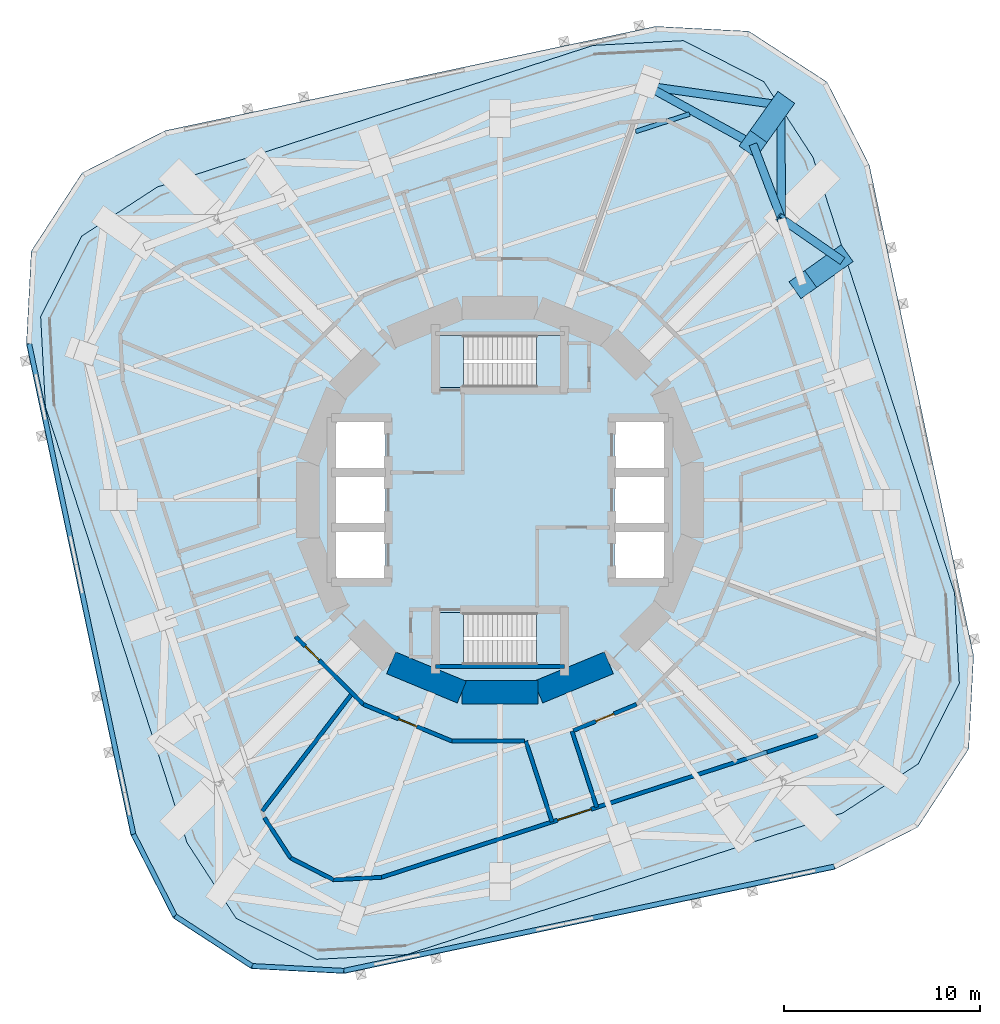
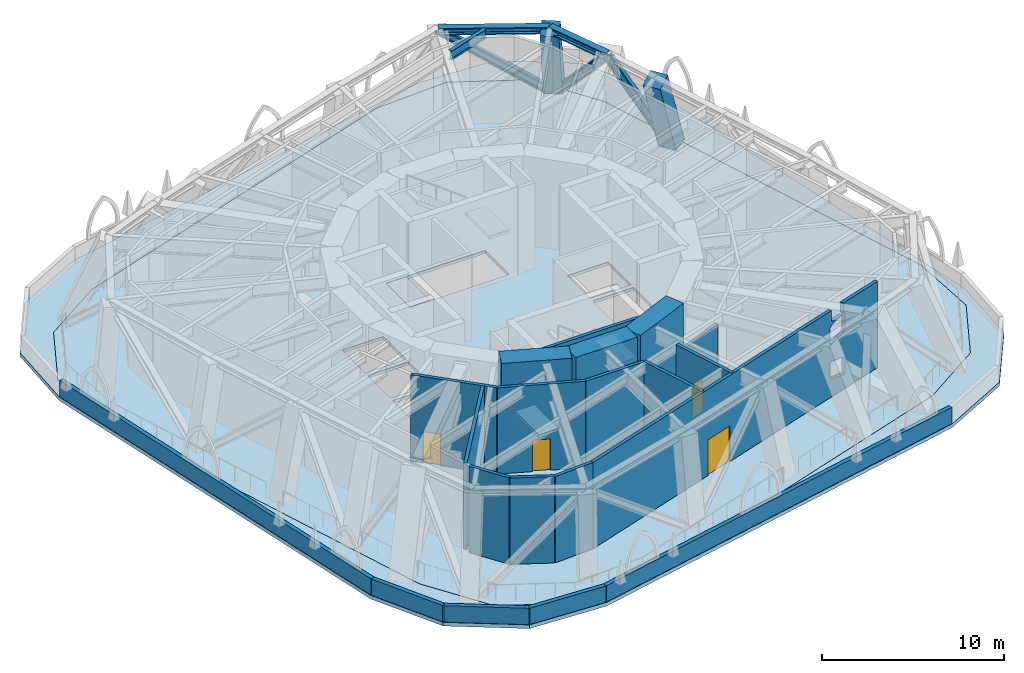
# One storey, part 4 of 11: 20 walls, 7 members, 6 slabs, 4 doors, 1 beam, 7 openings, 2 elements without a shape of their own.
"""IFC4 building model written with IfcOpenShell, lengths in metres."""

from ifc_helpers import new_model, si_unit, direction, frame, frame_2d, origin, origin_2d, place, context, subcontext, project, spatial, polyline, rectangle, i_section, outline, extrude, material, layer, layer_set, material_profile, profile_set, type_object, element, fill, aggregate, save


model = new_model("IFC4")

# Units and contexts
model_context = context("Model", 3, precision=1e-05, world=origin(), true_north=direction((0.0, 1.0)))
body_context = subcontext(model_context, "Body", "Model", "MODEL_VIEW")
ifc_project = project(units=[si_unit("LENGTHUNIT", "METRE"), si_unit("AREAUNIT", "SQUARE_METRE"), si_unit("VOLUMEUNIT", "CUBIC_METRE"), si_unit("PLANEANGLEUNIT", "RADIAN"), si_unit("MASSUNIT", "GRAM", prefix="KILO")], contexts=[model_context])

# Site, building, storey
site_placement = place(None, origin())
site = spatial("IfcSite", under=ifc_project, at=site_placement, CompositionType="ELEMENT")
building_placement = place(site_placement, origin())
building = spatial("IfcBuilding", under=site, at=building_placement, Name="Nakasero Lantern House", CompositionType="ELEMENT")
storey_placement = place(building_placement, frame((0.0, 0.0, 135.800048828125)))
storey = spatial("IfcBuildingStorey", under=building, at=storey_placement, Name="L33", CompositionType="ELEMENT", Elevation=135.800048828125)

# Members
ifc_material_1 = material(Name="Steel S355", Category="steel")
ifc_material_profile_1 = material_profile(ifc_material_1, i_section(OverallWidth=0.41845703125, OverallDepth=0.45556640625, WebThickness=0.0419921875, FlangeThickness=0.0673828125, FilletRadius=0.01513671875, at=origin_2d()), Name="UC 356x406x551")
ifc_profile_set_1 = profile_set([ifc_material_profile_1], Name="Steel S355")
member_type_1 = type_object("IfcMemberType", Name="Belt truss chord UC 356x406x551", PredefinedType="CHORD", material=ifc_profile_set_1)
member_1_placement = place(storey_placement, frame((14.3642578125, 14.3642578125, 5.572265625), z_axis=(-0.35622505813, 0.934400186194, 0.0), x_axis=(-0.934400186194, -0.35622505813, 0.0)))
element("IfcMember", 1, at=member_1_placement, inside=storey, type_object=member_type_1, Name="Belt truss top chord T3 B4-C06T", PredefinedType="CHORD", context=body_context, shape_type="SweptSolid", body=[
    extrude(i_section(OverallWidth=0.41845703125, OverallDepth=0.45556640625, WebThickness=0.0419921875, FlangeThickness=0.0673828125, FilletRadius=0.01513671875, at=origin_2d()), origin(), (0.0, 0.0, 1.0), 4.0654296875),
])
member_2_placement = place(storey_placement, frame((12.916015625, 18.1630859375, 5.572265625), z_axis=(-0.876576912681, 0.481261795861, 0.0), x_axis=(-0.481261795861, -0.876576912681, 0.0)))
element("IfcMember", 2, at=member_2_placement, inside=storey, type_object=member_type_1, Name="Belt truss top chord T3 B4-C07T", PredefinedType="CHORD", context=body_context, shape_type="SweptSolid", body=[
    extrude(i_section(OverallWidth=0.41845703125, OverallDepth=0.45556640625, WebThickness=0.0419921875, FlangeThickness=0.0673828125, FilletRadius=0.01513671875, at=origin_2d()), origin(), (0.0, 0.0, 1.0), 6.1640625),
])
ifc_material_2 = material(Name="Steel S355", Category="steel")
ifc_material_profile_2 = material_profile(ifc_material_2, i_section(OverallWidth=0.424072265625, OverallDepth=0.474609375, WebThickness=0.047607421875, FlangeThickness=0.076904296875, FilletRadius=0.01513671875, at=origin_2d()), Name="UC 356x406x634")
ifc_profile_set_2 = profile_set([ifc_material_profile_2], Name="Steel S355")
member_type_2 = type_object("IfcMemberType", Name="Belt truss diagonal UC 356x406x634", PredefinedType="BRACE", material=ifc_profile_set_2)
member_3_placement = place(storey_placement, frame((17.318115234375, 12.31494140625, -0.427734375), z_axis=(-0.422303069917, 0.292983880394, 0.857799838522), x_axis=(-0.570025417693, -0.821627058454, 0.0)))
element("IfcMember", 3, at=member_3_placement, inside=storey, type_object=member_type_2, Name="Belt truss diagonal T3-05", PredefinedType="BRACE", context=body_context, shape_type="SweptSolid", body=[
    extrude(i_section(OverallWidth=0.424072265625, OverallDepth=0.474609375, WebThickness=0.047607421875, FlangeThickness=0.076904296875, FilletRadius=0.01513671875, at=origin_2d()), origin(), (0.0, 0.0, 1.0), 6.99462890625),
])
member_4_placement = place(storey_placement, frame((14.3642578125, 14.3642578125, 5.572265625), z_axis=(-0.003688653835, 0.694520822143, -0.719463148078), x_axis=(-0.999985896527, -0.005311002485, 0.0)))
element("IfcMember", 4, at=member_4_placement, inside=storey, type_object=member_type_2, Name="Belt truss diagonal T3-06", PredefinedType="BRACE", context=body_context, shape_type="SweptSolid", body=[
    extrude(i_section(OverallWidth=0.424072265625, OverallDepth=0.474609375, WebThickness=0.047607421875, FlangeThickness=0.076904296875, FilletRadius=0.01513671875, at=origin_2d()), origin(), (0.0, 0.0, 1.0), 8.339599609375),
])
member_5_placement = place(storey_placement, frame((14.33349609375, 20.15625, -0.427734375), z_axis=(-0.746565736537, 0.106541541684, 0.656725590276), x_axis=(-0.141277490532, -0.989970035238, 0.0)))
element("IfcMember", 5, at=member_5_placement, inside=storey, type_object=member_type_2, Name="Belt truss diagonal T3-07", PredefinedType="BRACE", context=body_context, shape_type="SweptSolid", body=[
    extrude(i_section(OverallWidth=0.424072265625, OverallDepth=0.474609375, WebThickness=0.047607421875, FlangeThickness=0.076904296875, FilletRadius=0.01513671875, at=origin_2d()), origin(), (0.0, 0.0, 1.0), 9.13623046875),
])

# Beam
ifc_material_3 = material(Name="Steel S355", Category="steel")
ifc_material_profile_3 = material_profile(ifc_material_3, i_section(OverallWidth=0.22900390625, OverallDepth=0.6123046875, WebThickness=0.011962890625, FlangeThickness=0.01953125, FilletRadius=0.0126953125, at=origin_2d()), Name="UB 610x229x125")
ifc_profile_set_3 = profile_set([ifc_material_profile_3], Name="Steel S355")
beam_type = type_object("IfcBeamType", Name="Infill beam UB 610x229x125", PredefinedType="JOIST", material=ifc_profile_set_3)
beam_placement = place(storey_placement, frame((6.92724609375, 18.811279296875, 5.493896484375), z_axis=(0.951039658273, 0.309068873217, 0.0), x_axis=(-0.309068873217, 0.951039658273, 0.0)))
element("IfcBeam", 6, at=beam_placement, inside=storey, type_object=beam_type, Name="Infill beam L34 12.7", PredefinedType="JOIST", context=body_context, shape_type="SweptSolid", body=[
    extrude(i_section(OverallWidth=0.22900390625, OverallDepth=0.6123046875, WebThickness=0.011962890625, FlangeThickness=0.01953125, FilletRadius=0.0126953125, at=origin_2d()), origin(), (0.0, 0.0, 1.0), 2.888671875),
])

# Members
ifc_material_4 = material(Name="Concrete C50/60", Category="concrete")
ifc_material_profile_4 = material_profile(ifc_material_4, rectangle(XDim=1.050048828125, YDim=1.050048828125, at=origin_2d()), Name="RC 1050x1050")
ifc_profile_set_4 = profile_set([ifc_material_profile_4], Name="Concrete C50/60")
member_type_3 = type_object("IfcMemberType", Name="Raking column RC 1050x1050 C50/60", PredefinedType="STRUT", material=ifc_profile_set_4)
member_6_placement = place(storey_placement, frame((17.318115234375, 12.31494140625, -0.427734375), z_axis=(-0.289562282612, -0.20588475447, 0.934754059828), x_axis=(0.57947480593, -0.814990152881, 0.0)))
element("IfcMember", 7, at=member_6_placement, inside=storey, type_object=member_type_3, Name="Raking column B4-C05T L33", PredefinedType="STRUT", context=body_context, shape_type="SweptSolid", body=[
    extrude(rectangle(XDim=1.050048828125, YDim=1.050048828125, at=origin_2d()), origin(), (0.0, 0.0, 1.0), 6.418701171875),
])
member_7_placement = place(storey_placement, frame((14.33349609375, 20.15625, -0.427734375), z_axis=(-0.218768989121, -0.307617986081, 0.92601906246), x_axis=(0.814932275897, -0.57955619719, 0.0)))
element("IfcMember", 8, at=member_7_placement, inside=storey, type_object=member_type_3, Name="Raking column B4-C07T L33", PredefinedType="STRUT", context=body_context, shape_type="SweptSolid", body=[
    extrude(rectangle(XDim=1.050048828125, YDim=1.050048828125, at=origin_2d()), origin(), (0.0, 0.0, 1.0), 6.479248046875),
])

# Slabs
ifc_material_5 = material(Name="Concrete C35/45", Category="concrete")
ifc_layer_1 = layer(ifc_material_5, 0.199951171875)
ifc_layer_set_1 = layer_set([ifc_layer_1], Name="Composite floor slab 200")
slab_type_1 = type_object("IfcSlabType", Name="Composite floor slab 200", PredefinedType="FLOOR", material=ifc_layer_set_1)
slab_1_placement = place(storey_placement, frame((0.0, 0.0, -0.199951171875)))
element("IfcSlab", 9, at=slab_1_placement, inside=storey, type_object=slab_type_1, Name="Floor slab L33", PredefinedType="FLOOR", context=body_context, shape_type="SweptSolid", body=[
    extrude(outline(polyline([(15.976318359375, 17.4931640625), (13.467041015625, 21.35693359375), (9.3623046875, 23.448486328125), (4.76171875, 23.207275390625), (-17.4931640625, 15.976318359375), (-21.35693359375, 13.467041015625), (-23.448486328125, 9.3623046875), (-23.207275390625, 4.76171875), (-15.976318359375, -17.4931640625), (-13.467041015625, -21.35693359375), (-9.3623046875, -23.448486328125), (-4.76171875, -23.207275390625), (17.4931640625, -15.976318359375), (21.35693359375, -13.467041015625), (23.448486328125, -9.3623046875), (23.207275390625, -4.76171875), (15.976318359375, 17.4931640625)]), holes=[polyline([(-8.449951171875, -4.050048828125), (-5.85009765625, -4.050048828125), (-5.85009765625, -1.550048828125), (-8.449951171875, -1.550048828125), (-8.449951171875, -4.050048828125)]), polyline([(-8.449951171875, -1.25), (-5.85009765625, -1.25), (-5.85009765625, 1.25), (-8.449951171875, 1.25), (-8.449951171875, -1.25)]), polyline([(-8.449951171875, 1.550048828125), (-5.85009765625, 1.550048828125), (-5.85009765625, 4.050048828125), (-8.449951171875, 4.050048828125), (-8.449951171875, 1.550048828125)]), polyline([(5.85009765625, -4.050048828125), (8.449951171875, -4.050048828125), (8.449951171875, -1.550048828125), (5.85009765625, -1.550048828125), (5.85009765625, -4.050048828125)]), polyline([(5.85009765625, -1.25), (8.449951171875, -1.25), (8.449951171875, 1.25), (5.85009765625, 1.25), (5.85009765625, -1.25)]), polyline([(5.85009765625, 1.550048828125), (8.449951171875, 1.550048828125), (8.449951171875, 4.050048828125), (5.85009765625, 4.050048828125), (5.85009765625, 1.550048828125)]), polyline([(-3.14990234375, 5.75), (3.14990234375, 5.75), (3.14990234375, 8.39990234375), (-3.14990234375, 8.39990234375), (-3.14990234375, 5.75)]), polyline([(-3.14990234375, -8.39990234375), (3.14990234375, -8.39990234375), (3.14990234375, -5.75), (-3.14990234375, -5.75), (-3.14990234375, -8.39990234375)])]), origin(), (0.0, 0.0, 1.0), 0.199951171875),
])
ifc_material_6 = material(Name="Concrete C35/45", Category="concrete")
ifc_layer_2 = layer(ifc_material_6, 0.25)
ifc_layer_set_2 = layer_set([ifc_layer_2], Name="Setback roof 250")
slab_type_2 = type_object("IfcSlabType", Name="Setback roof 250", PredefinedType="ROOF", material=ifc_layer_set_2)
slab_2_placement = place(storey_placement, frame((0.0, 0.0, -0.25)))
element("IfcSlab", 10, at=slab_2_placement, inside=storey, type_object=slab_type_2, Name="Setback roof L33", PredefinedType="ROOF", context=body_context, shape_type="SweptSolid", body=[
    extrude(outline(polyline([(18.85791015625, 17.09423828125), (16.696044921875, 21.337646484375), (12.701904296875, 23.931396484375), (7.9462890625, 24.180419921875), (-17.09423828125, 18.85791015625), (-21.337646484375, 16.696044921875), (-23.931396484375, 12.701904296875), (-24.180419921875, 7.9462890625), (-18.85791015625, -17.09423828125), (-16.696044921875, -21.337646484375), (-12.701904296875, -23.931396484375), (-7.9462890625, -24.180419921875), (17.09423828125, -18.85791015625), (21.337646484375, -16.696044921875), (23.931396484375, -12.701904296875), (24.180419921875, -7.9462890625), (18.85791015625, 17.09423828125)]), holes=[polyline([(15.976318359375, 17.4931640625), (13.467041015625, 21.35693359375), (9.3623046875, 23.448486328125), (4.76171875, 23.207275390625), (-17.4931640625, 15.976318359375), (-21.35693359375, 13.467041015625), (-23.448486328125, 9.3623046875), (-23.207275390625, 4.76171875), (-15.976318359375, -17.4931640625), (-13.467041015625, -21.35693359375), (-9.3623046875, -23.448486328125), (-4.76171875, -23.207275390625), (17.4931640625, -15.976318359375), (21.35693359375, -13.467041015625), (23.448486328125, -9.3623046875), (23.207275390625, -4.76171875), (15.976318359375, 17.4931640625)])]), origin(), (0.0, 0.0, 1.0), 0.25),
])

# Stair, slabs
ifc_material_7 = material(Name="Concrete C40/50", Category="concrete")
stair_type_1 = type_object("IfcStairType", Name="Escape stair ST1 32 risers", PredefinedType="HALF_TURN_STAIR", material=ifc_material_7)
stair_1_placement = place(storey_placement, origin())
stair_1 = element("IfcStair", 11, at=stair_1_placement, inside=storey, type_object=stair_type_1, Name="Escape stair ST1 L33", PredefinedType="HALF_TURN_STAIR")
ifc_material_8 = material(Name="Concrete C40/50", Category="concrete")
ifc_layer_3 = layer(ifc_material_8, 0.199951171875)
ifc_layer_set_3 = layer_set([ifc_layer_3], Name="Stair landing 200")
slab_type_3 = type_object("IfcSlabType", Name="Stair landing 200", PredefinedType="LANDING", material=ifc_layer_set_3)
slab_3_placement = place(storey_placement, frame((0.0, 0.0, -0.199951171875)))
slab_3 = element("IfcSlab", 12, at=slab_3_placement, type_object=slab_type_3, Name="ST1 landing 1", PredefinedType="LANDING", context=body_context, shape_type="SweptSolid", body=[
    extrude(outline(polyline([(-3.14990234375, 5.75), (-1.875, 5.75), (-1.875, 8.39990234375), (-3.14990234375, 8.39990234375), (-3.14990234375, 5.75)])), origin(), (0.0, 0.0, 1.0), 0.199951171875),
])
slab_4_placement = place(storey_placement, frame((0.0, 0.0, 2.800048828125)))
slab_4 = element("IfcSlab", 13, at=slab_4_placement, type_object=slab_type_3, Name="ST1 landing 2", PredefinedType="LANDING", context=body_context, shape_type="SweptSolid", body=[
    extrude(outline(polyline([(1.875, 5.75), (3.14990234375, 5.75), (3.14990234375, 8.39990234375), (1.875, 8.39990234375), (1.875, 5.75)])), origin(), (0.0, 0.0, 1.0), 0.199951171875),
])
aggregate(stair_1, [slab_3, slab_4])

ifc_material_9 = material(Name="Concrete C40/50", Category="concrete")
stair_type_2 = type_object("IfcStairType", Name="Escape stair ST2 32 risers", PredefinedType="HALF_TURN_STAIR", material=ifc_material_9)
stair_2_placement = place(storey_placement, origin())
stair_2 = element("IfcStair", 14, at=stair_2_placement, inside=storey, type_object=stair_type_2, Name="Escape stair ST2 L33", PredefinedType="HALF_TURN_STAIR")
slab_5_placement = place(storey_placement, frame((0.0, 0.0, -0.199951171875)))
slab_5 = element("IfcSlab", 15, at=slab_5_placement, type_object=slab_type_3, Name="ST2 landing 1", PredefinedType="LANDING", context=body_context, shape_type="SweptSolid", body=[
    extrude(outline(polyline([(-3.14990234375, -8.39990234375), (-1.875, -8.39990234375), (-1.875, -5.75), (-3.14990234375, -5.75), (-3.14990234375, -8.39990234375)])), origin(), (0.0, 0.0, 1.0), 0.199951171875),
])
slab_6_placement = place(storey_placement, frame((0.0, 0.0, 2.800048828125)))
slab_6 = element("IfcSlab", 16, at=slab_6_placement, type_object=slab_type_3, Name="ST2 landing 2", PredefinedType="LANDING", context=body_context, shape_type="SweptSolid", body=[
    extrude(outline(polyline([(1.875, -8.39990234375), (3.14990234375, -8.39990234375), (3.14990234375, -5.75), (1.875, -5.75), (1.875, -8.39990234375)])), origin(), (0.0, 0.0, 1.0), 0.199951171875),
])
aggregate(stair_2, [slab_5, slab_6])

# Walls
ifc_material_10 = material(Name="Concrete C50/60", Category="concrete")
ifc_layer_4 = layer(ifc_material_10, 1.199951171875)
ifc_layer_set_4 = layer_set([ifc_layer_4], Name="Core wall 1200")
wall_type_1 = type_object("IfcWallType", Name="Core wall 1200", PredefinedType="SHEAR", material=ifc_layer_set_4)
for number, where, z_axis, x_axis, name in (
    (17, (-5.5556640625, -8.314697265625, 0.0), (0.0, 0.0, 1.0), (0.923876507187, -0.382690736062, 0.0), "Core wall L33 facet 11"),
    (18, (-1.950927734375, -9.807861328125, 0.0), (0.0, 0.0, 1.0), (1.0, 0.0, 0.0), "Core wall L33 facet 12"),
    (19, (1.950927734375, -9.807861328125, 0.0), (0.0, 0.0, 1.0), (0.923876507187, 0.382690736062, 0.0), "Core wall L33 facet 13"),
):
    element("IfcWall", number, at=place(storey_placement, frame(where, z_axis=z_axis, x_axis=x_axis)), inside=storey, type_object=wall_type_1, Name=name, PredefinedType="SHEAR", context=body_context, shape_type="SweptSolid", body=[
        extrude(rectangle(XDim=3.90185546875, YDim=1.199951171875, at=frame_2d((1.950927734375, 0.0))), origin(), (0.0, 0.0, 1.0), 6.0),
    ])

# Wall, opening, door
ifc_material_11 = material(Name="Blockwork", Category="masonry")
ifc_layer_5 = layer(ifc_material_11, 0.199951171875)
ifc_layer_set_5 = layer_set([ifc_layer_5], Name="Corridor wall 200")
wall_type_2 = type_object("IfcWallType", Name="Corridor wall 200", PredefinedType="PARTITIONING", material=ifc_layer_set_5)
wall_1_placement = place(storey_placement, frame((6.971923828125, -10.43408203125, 0.0), z_axis=(0.0, 0.0, 1.0), x_axis=(-0.923875385554, -0.382693443853, 0.0)))
wall_1 = element("IfcWall", 20, at=wall_1_placement, inside=storey, type_object=wall_type_2, Name="Corridor wall L33 TC03", PredefinedType="PARTITIONING", context=body_context, shape_type="SweptSolid", body=[
    extrude(rectangle(XDim=3.4921875, YDim=0.199951171875, at=frame_2d((1.74609375, 0.0))), origin(), (0.0, 0.0, 1.0), 5.187744140625),
])
opening_1_placement = place(wall_1_placement, frame((1.25, 0.0, 0.0)))
opening_1 = element("IfcOpeningElement", 21, at=opening_1_placement, cuts=wall_1, Name="Opening D13", PredefinedType="OPENING", context=body_context, shape_type="SweptSolid", body=[
    extrude(rectangle(XDim=1.0, YDim=2.10009765625, at=frame_2d((0.5, 1.050048828125))), frame((0.0, 0.119873046875, 0.0), z_axis=(0.0, -1.0, 0.0), x_axis=(1.0, 0.0, 0.0)), (0.0, 0.0, 1.0), 0.239990234375),
])
ifc_material_12 = material(Name="Steel S355", Category="steel")
door_type_1 = type_object("IfcDoorType", Name="Plant room door FD60 1000", OperationType="SINGLE_SWING_LEFT", PredefinedType="DOOR", material=ifc_material_12)
door_1_placement = place(opening_1_placement, origin())
door_1 = element("IfcDoor", 22, at=door_1_placement, inside=storey, type_object=door_type_1, Name="Door L33 TDR30", OperationType="SINGLE_SWING_RIGHT", OverallHeight=2.10009765625, OverallWidth=1.0, PredefinedType="DOOR", context=body_context, shape_type="SweptSolid", body=[
    extrude(rectangle(XDim=1.0, YDim=2.10009765625, at=frame_2d((0.5, 1.050048828125))), frame((0.0, 0.02490234375, 0.0), z_axis=(0.0, -1.0, 0.0), x_axis=(1.0, 0.0, 0.0)), (0.0, 0.0, 1.0), 0.050048828125),
])
fill(opening_1, door_1)

# Wall
wall_2_placement = place(storey_placement, frame((1.239013671875, -12.307861328125, 0.0), z_axis=(0.0, 0.0, 1.0), x_axis=(-1.0, 0.0, 0.0)))
element("IfcWall", 23, at=wall_2_placement, inside=storey, type_object=wall_type_2, Name="Corridor wall L33 TC04", PredefinedType="PARTITIONING", context=body_context, shape_type="SweptSolid", body=[
    extrude(rectangle(XDim=3.687255859375, YDim=0.199951171875, at=frame_2d((1.84375, 0.0))), origin(), (0.0, 0.0, 1.0), 5.800048828125),
])

# Wall, opening, door
wall_3_placement = place(storey_placement, frame((-2.4482421875, -12.307861328125, 0.0), z_axis=(0.0, 0.0, 1.0), x_axis=(-0.923878881965, 0.382685002919, 0.0)))
wall_3 = element("IfcWall", 24, at=wall_3_placement, inside=storey, type_object=wall_type_2, Name="Corridor wall L33 TC05", PredefinedType="PARTITIONING", context=body_context, shape_type="SweptSolid", body=[
    extrude(rectangle(XDim=4.896484375, YDim=0.199951171875, at=frame_2d((2.4482421875, 0.0))), origin(), (0.0, 0.0, 1.0), 5.800048828125),
])
opening_2_placement = place(wall_3_placement, frame((1.949951171875, 0.0, 0.0)))
opening_2 = element("IfcOpeningElement", 25, at=opening_2_placement, cuts=wall_3, Name="Opening D13", PredefinedType="OPENING", context=body_context, shape_type="SweptSolid", body=[
    extrude(rectangle(XDim=1.0, YDim=2.10009765625, at=frame_2d((0.5, 1.050048828125))), frame((0.0, 0.119873046875, 0.0), z_axis=(0.0, -1.0, 0.0), x_axis=(1.0, 0.0, 0.0)), (0.0, 0.0, 1.0), 0.239990234375),
])
door_2_placement = place(opening_2_placement, origin())
door_2 = element("IfcDoor", 26, at=door_2_placement, inside=storey, type_object=door_type_1, Name="Door L33 TDR21", OperationType="SINGLE_SWING_RIGHT", OverallHeight=2.10009765625, OverallWidth=1.0, PredefinedType="DOOR", context=body_context, shape_type="SweptSolid", body=[
    extrude(rectangle(XDim=1.0, YDim=2.10009765625, at=frame_2d((0.5, 1.050048828125))), frame((0.0, 0.02490234375, 0.0), z_axis=(0.0, -1.0, 0.0), x_axis=(1.0, 0.0, 0.0)), (0.0, 0.0, 1.0), 0.050048828125),
])
fill(opening_2, door_2)

wall_4_placement = place(storey_placement, frame((-6.971923828125, -10.43408203125, 0.0), z_axis=(0.0, 0.0, 1.0), x_axis=(-0.707106781187, 0.707106781187, 0.0)))
wall_4 = element("IfcWall", 27, at=wall_4_placement, inside=storey, type_object=wall_type_2, Name="Corridor wall L33 TC06", PredefinedType="PARTITIONING", context=body_context, shape_type="SweptSolid", body=[
    extrude(rectangle(XDim=4.896240234375, YDim=0.199951171875, at=frame_2d((2.4482421875, 0.0))), origin(), (0.0, 0.0, 1.0), 5.800048828125),
])
opening_3_placement = place(wall_4_placement, frame((3.199951171875, 0.0, 0.0)))
opening_3 = element("IfcOpeningElement", 28, at=opening_3_placement, cuts=wall_4, Name="Opening D13", PredefinedType="OPENING", context=body_context, shape_type="SweptSolid", body=[
    extrude(rectangle(XDim=1.0, YDim=2.10009765625, at=frame_2d((0.5, 1.050048828125))), frame((0.0, 0.119873046875, 0.0), z_axis=(0.0, -1.0, 0.0), x_axis=(1.0, 0.0, 0.0)), (0.0, 0.0, 1.0), 0.239990234375),
])
door_3_placement = place(opening_3_placement, origin())
door_3 = element("IfcDoor", 29, at=door_3_placement, inside=storey, type_object=door_type_1, Name="Door L33 TDR20", OperationType="SINGLE_SWING_RIGHT", OverallHeight=2.10009765625, OverallWidth=1.0, PredefinedType="DOOR", context=body_context, shape_type="SweptSolid", body=[
    extrude(rectangle(XDim=1.0, YDim=2.10009765625, at=frame_2d((0.5, 1.050048828125))), frame((0.0, 0.02490234375, 0.0), z_axis=(0.0, -1.0, 0.0), x_axis=(1.0, 0.0, 0.0)), (0.0, 0.0, 1.0), 0.050048828125),
])
fill(opening_3, door_3)

# Walls
ifc_material_13 = material(Name="Blockwork", Category="masonry")
ifc_layer_6 = layer(ifc_material_13, 0.199951171875)
ifc_layer_set_6 = layer_set([ifc_layer_6], Name="Fire lobby wall 200")
wall_type_3 = type_object("IfcWallType", Name="Fire lobby wall 200", PredefinedType="PARTITIONING", material=ifc_layer_set_6)
wall_5_placement = place(storey_placement, frame((-3.300048828125, -8.5, 0.0), z_axis=(0.0, 0.0, 1.0), x_axis=(1.0, 0.0, 0.0)))
element("IfcWall", 30, at=wall_5_placement, inside=storey, type_object=wall_type_3, Name="Fire lobby wall L33 W-STS", PredefinedType="PARTITIONING", context=body_context, shape_type="SweptSolid", body=[
    extrude(rectangle(XDim=6.60009765625, YDim=0.199951171875, at=frame_2d((3.300048828125, 0.0))), origin(), (0.0, 0.0, 1.0), 5.800048828125),
])
wall_6_placement = place(storey_placement, frame((-7.541015625, -9.864990234375, 0.0), z_axis=(0.0, 0.0, 1.0), x_axis=(-0.60730881366, -0.79446586135, 0.0)))
element("IfcWall", 31, at=wall_6_placement, inside=storey, type_object=wall_type_3, Name="Fire lobby wall L33 TD20", PredefinedType="PARTITIONING", context=body_context, shape_type="SweptSolid", body=[
    extrude(rectangle(XDim=7.568603515625, YDim=0.199951171875, at=frame_2d((3.7841796875, 0.0))), origin(), (0.0, 0.0, 1.0), 5.800048828125),
])
wall_7_placement = place(storey_placement, frame((3.676025390625, -11.79931640625, 0.0), z_axis=(0.0, 0.0, 1.0), x_axis=(0.309041554248, -0.951048535958, 0.0)))
element("IfcWall", 32, at=wall_7_placement, inside=storey, type_object=wall_type_3, Name="Fire lobby wall L33 TP3L", PredefinedType="PARTITIONING", context=body_context, shape_type="SweptSolid", body=[
    extrude(rectangle(XDim=4.092041015625, YDim=0.199951171875, at=frame_2d((2.0458984375, 0.0))), origin(), (0.0, 0.0, 1.0), 5.800048828125),
])
wall_8_placement = place(storey_placement, frame((1.31787109375, -12.307861328125, 0.0), z_axis=(0.0, 0.0, 1.0), x_axis=(0.309024978252, -0.951053922139, 0.0)))
element("IfcWall", 33, at=wall_8_placement, inside=storey, type_object=wall_type_3, Name="Fire lobby wall L33 TP3R", PredefinedType="PARTITIONING", context=body_context, shape_type="SweptSolid", body=[
    extrude(rectangle(XDim=4.33740234375, YDim=0.199951171875, at=frame_2d((2.168701171875, 0.0))), origin(), (0.0, 0.0, 1.0), 5.800048828125),
])
ifc_material_14 = material(Name="Concrete C35/45", Category="concrete")
ifc_layer_7 = layer(ifc_material_14, 0.25)
ifc_layer_set_7 = layer_set([ifc_layer_7], Name="Parapet 250")
wall_type_4 = type_object("IfcWallType", Name="Parapet 250", PredefinedType="SOLIDWALL", material=ifc_layer_set_7)
wall_9_placement = place(storey_placement, frame((-24.03369140625, 7.9775390625, 0.0), z_axis=(0.0, 0.0, 1.0), x_axis=(0.207909055127, -0.978148160964, 0.0)))
element("IfcWall", 34, at=wall_9_placement, inside=storey, type_object=wall_type_4, Name="Parapet L33 PP2S", PredefinedType="SOLIDWALL", context=body_context, shape_type="SweptSolid", body=[
    extrude(rectangle(XDim=25.60009765625, YDim=0.25, at=frame_2d((12.800048828125, 0.0))), origin(), (0.0, 0.0, 1.0), 1.099853515625),
])
for number, where, z_axis, x_axis, name in (
    (35, (-18.711181640625, -17.063232421875, 0.0), (0.0, 0.0, 1.0), (0.453975745332, -0.89101404178, 0.0), "Parapet L33 PP2C1"),
    (36, (-16.58447265625, -21.2373046875, 0.0), (0.0, 0.0, 1.0), (0.838692381994, -0.544605442853, 0.0), "Parapet L33 PP2C2"),
):
    element("IfcWall", number, at=place(storey_placement, frame(where, z_axis=z_axis, x_axis=x_axis)), inside=storey, type_object=wall_type_4, Name=name, PredefinedType="SOLIDWALL", context=body_context, shape_type="SweptSolid", body=[
        extrude(rectangle(XDim=4.6845703125, YDim=0.25, at=frame_2d((2.34228515625, 0.0))), origin(), (0.0, 0.0, 1.0), 1.099853515625),
    ])
wall_10_placement = place(storey_placement, frame((-12.655517578125, -23.78857421875, 0.0), z_axis=(0.0, 0.0, 1.0), x_axis=(0.998630039879, -0.052326317, 0.0)))
element("IfcWall", 37, at=wall_10_placement, inside=storey, type_object=wall_type_4, Name="Parapet L33 PP2C3", PredefinedType="SOLIDWALL", context=body_context, shape_type="SweptSolid", body=[
    extrude(rectangle(XDim=4.684326171875, YDim=0.25, at=frame_2d((2.34228515625, 0.0))), origin(), (0.0, 0.0, 1.0), 1.099853515625),
])
wall_11_placement = place(storey_placement, frame((-7.9775390625, -24.03369140625, 0.0), z_axis=(0.0, 0.0, 1.0), x_axis=(0.978148160964, 0.207909055127, 0.0)))
element("IfcWall", 38, at=wall_11_placement, inside=storey, type_object=wall_type_4, Name="Parapet L33 PP3S", PredefinedType="SOLIDWALL", context=body_context, shape_type="SweptSolid", body=[
    extrude(rectangle(XDim=25.60009765625, YDim=0.25, at=frame_2d((12.800048828125, 0.0))), origin(), (0.0, 0.0, 1.0), 1.099853515625),
])
ifc_material_15 = material(Name="Aluminium louvre on blockwork", Category="masonry")
ifc_layer_8 = layer(ifc_material_15, 0.199951171875)
ifc_layer_set_8 = layer_set([ifc_layer_8], Name="Plant enclosure wall 200")
wall_type_5 = type_object("IfcWallType", Name="Plant enclosure wall 200", PredefinedType="SOLIDWALL", material=ifc_layer_set_8)
for number, where, z_axis, x_axis, name in (
    (39, (-12.029296875, -16.210693359375, 0.0), (0.0, 0.0, 1.0), (0.544646261464, -0.83866587499, 0.0), "Plant enclosure wall L33 EN2C1"),
    (40, (-10.690185546875, -18.272705078125, 0.0), (0.0, 0.0, 1.0), (0.89096522491, -0.454071545025, 0.0), "Plant enclosure wall L33 EN2C2"),
):
    element("IfcWall", number, at=place(storey_placement, frame(where, z_axis=z_axis, x_axis=x_axis)), inside=storey, type_object=wall_type_5, Name=name, PredefinedType="SOLIDWALL", context=body_context, shape_type="SweptSolid", body=[
        extrude(rectangle(XDim=2.458740234375, YDim=0.199951171875, at=frame_2d((1.2294921875, 0.0))), origin(), (0.0, 0.0, 1.0), 5.800048828125),
    ])
wall_12_placement = place(storey_placement, frame((-8.49951171875, -19.38916015625, 0.0), z_axis=(0.0, 0.0, 1.0), x_axis=(0.998630144123, 0.052324327496, 0.0)))
element("IfcWall", 41, at=wall_12_placement, inside=storey, type_object=wall_type_5, Name="Plant enclosure wall L33 EN2C3", PredefinedType="SOLIDWALL", context=body_context, shape_type="SweptSolid", body=[
    extrude(rectangle(XDim=2.458984375, YDim=0.199951171875, at=frame_2d((1.2294921875, 0.0))), origin(), (0.0, 0.0, 1.0), 5.800048828125),
])

# Wall, openings, door
wall_13_placement = place(storey_placement, frame((-6.0439453125, -19.260498046875, 0.0), z_axis=(0.0, 0.0, 1.0), x_axis=(0.951053618334, 0.30902591324, 0.0)))
wall_13 = element("IfcWall", 42, at=wall_13_placement, inside=storey, type_object=wall_type_5, Name="Plant enclosure wall L33 3", PredefinedType="SOLIDWALL", context=body_context, shape_type="SweptSolid", body=[
    extrude(rectangle(XDim=23.39990234375, YDim=0.199951171875, at=frame_2d((11.699951171875, 0.0))), origin(), (0.0, 0.0, 1.0), 5.800048828125),
])
opening_4_placement = place(wall_13_placement, frame((9.449951171875, 0.0, 0.0)))
opening_4 = element("IfcOpeningElement", 43, at=opening_4_placement, cuts=wall_13, Name="Opening D11", PredefinedType="OPENING", context=body_context, shape_type="SweptSolid", body=[
    extrude(rectangle(XDim=1.800048828125, YDim=2.39990234375, at=frame_2d((0.89990234375, 1.199951171875))), frame((0.0, 0.119873046875, 0.0), z_axis=(0.0, -1.0, 0.0), x_axis=(1.0, 0.0, 0.0)), (0.0, 0.0, 1.0), 0.239990234375),
])
opening_5_placement = place(wall_13_placement, origin())
element("IfcOpeningElement", 44, at=opening_5_placement, cuts=wall_13, Name="Penetration L33/EN3S/PEN0", PredefinedType="OPENING", context=body_context, shape_type="SweptSolid", body=[
    extrude(outline(polyline([(19.4755859375, 1.329833984375), (19.602294921875, 1.199462890625), (20.687744140625, 0.96923828125), (20.687744140625, 2.044677734375), (20.56103515625, 2.175048828125), (19.4755859375, 2.4052734375), (19.4755859375, 1.329833984375)])), frame((0.0, 0.119873046875, 0.0), z_axis=(0.0, -1.0, 0.0), x_axis=(1.0, 0.0, 0.0)), (0.0, 0.0, 1.0), 0.239990234375),
])
opening_6_placement = place(wall_13_placement, origin())
element("IfcOpeningElement", 45, at=opening_6_placement, cuts=wall_13, Name="Penetration L33/EN3S/PEN1", PredefinedType="OPENING", context=body_context, shape_type="SweptSolid", body=[
    extrude(outline(polyline([(20.687744140625, 3.987060546875), (20.687744140625, 4.671142578125), (19.4853515625, 4.671142578125), (19.4755859375, 4.658203125), (19.4755859375, 3.522216796875), (20.565673828125, 3.823486328125), (20.687744140625, 3.987060546875)])), frame((0.0, 0.119873046875, 0.0), z_axis=(0.0, -1.0, 0.0), x_axis=(1.0, 0.0, 0.0)), (0.0, 0.0, 1.0), 0.239990234375),
])
opening_7_placement = place(wall_13_placement, origin())
element("IfcOpeningElement", 46, at=opening_7_placement, cuts=wall_13, Name="Penetration L33/EN3S/PEN2", PredefinedType="OPENING", context=body_context, shape_type="SweptSolid", body=[
    extrude(outline(polyline([(19.587890625, 5.050048828125), (20.423095703125, 5.050048828125), (19.59765625, 4.82177734375), (19.4755859375, 4.658203125), (19.4755859375, 4.651123046875), (20.687744140625, 4.651123046875), (20.687744140625, 5.123046875), (20.575439453125, 5.092041015625), (20.575439453125, 5.800048828125), (19.587890625, 5.800048828125), (19.587890625, 5.050048828125)])), frame((0.0, 0.119873046875, 0.0), z_axis=(0.0, -1.0, 0.0), x_axis=(1.0, 0.0, 0.0)), (0.0, 0.0, 1.0), 0.239990234375),
])
ifc_material_16 = material(Name="Steel S355", Category="steel")
door_type_2 = type_object("IfcDoorType", Name="Plant room doors 1800x2400", OperationType="DOUBLE_DOOR_SINGLE_SWING", PredefinedType="DOOR", material=ifc_material_16)
door_4_placement = place(opening_4_placement, origin())
door_4 = element("IfcDoor", 47, at=door_4_placement, inside=storey, type_object=door_type_2, Name="Refuge door L33 3", OperationType="DOUBLE_DOOR_SINGLE_SWING", OverallHeight=2.39990234375, OverallWidth=1.800048828125, PredefinedType="DOOR", context=body_context, shape_type="SweptSolid", body=[
    extrude(rectangle(XDim=1.800048828125, YDim=2.39990234375, at=frame_2d((0.89990234375, 1.199951171875))), frame((0.0, 0.02490234375, 0.0), z_axis=(0.0, -1.0, 0.0), x_axis=(1.0, 0.0, 0.0)), (0.0, 0.0, 1.0), 0.050048828125),
])
fill(opening_4, door_4)

save(model, "model.ifc")
